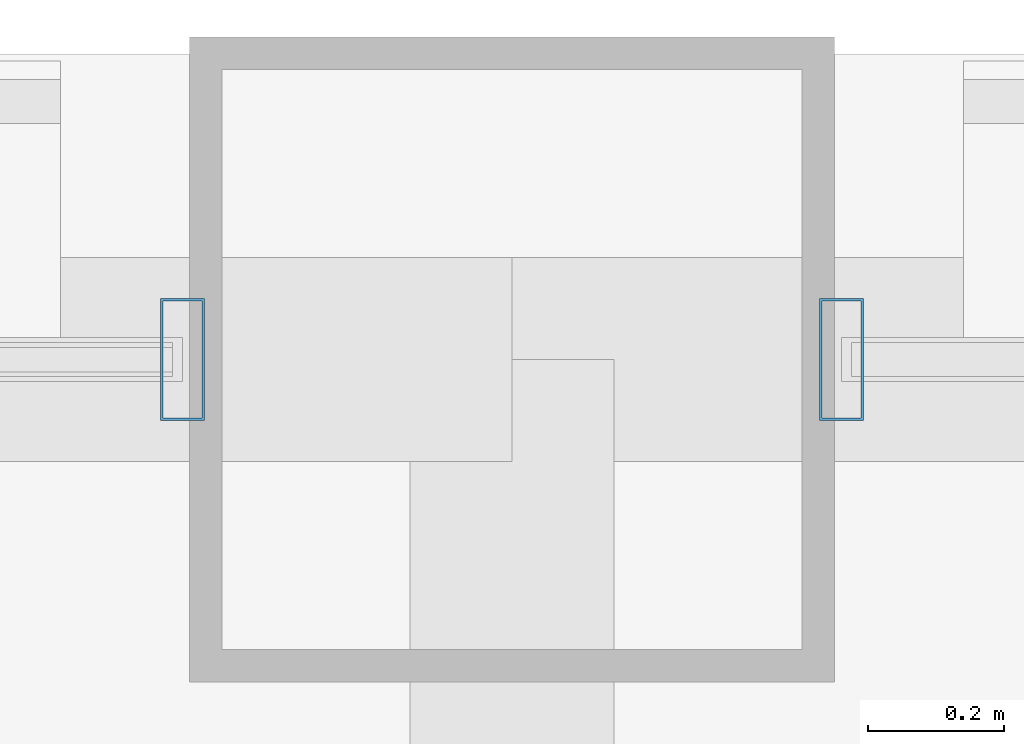
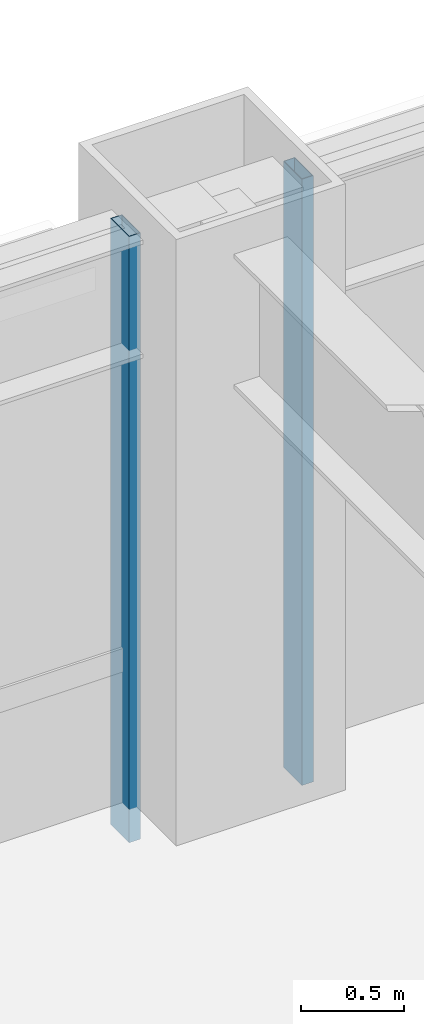
# One storey, part 19 of 28: 2 members, 2 elements without a shape of their own.
"""IFC4 building model written with IfcOpenShell, lengths in metres."""

from ifc_helpers import new_model, si_unit, direction, frame, origin, origin_2d, place, context, subcontext, project, spatial, hollow_rectangle, extrude, material, layer, layer_set, material_profile, profile_set, type_object, element, aggregate, save


model = new_model("IFC4")

# Units and contexts
model_context = context("Model", 3, precision=1e-05, world=origin(), true_north=direction((0.0, 1.0)))
body_context = subcontext(model_context, "Body", "Model", "MODEL_VIEW")
ifc_project = project(units=[si_unit("LENGTHUNIT", "METRE"), si_unit("AREAUNIT", "SQUARE_METRE"), si_unit("VOLUMEUNIT", "CUBIC_METRE"), si_unit("PLANEANGLEUNIT", "RADIAN"), si_unit("MASSUNIT", "GRAM", prefix="KILO")], contexts=[model_context])

# Site, building, storey
site_placement = place(None, origin())
site = spatial("IfcSite", under=ifc_project, at=site_placement, CompositionType="ELEMENT")
building_placement = place(site_placement, origin())
building = spatial("IfcBuilding", under=site, at=building_placement, Name="Brelmoor Portico Tower", CompositionType="ELEMENT")
storey_placement = place(building_placement, frame((0.0, 0.0, 49.199951171875)))
storey = spatial("IfcBuildingStorey", under=building, at=storey_placement, Name="L12", CompositionType="ELEMENT", Elevation=49.199951171875)

# Curtain wall, member
ifc_material = material(Name="Anodised Aluminium Alloy 6063-T6", Category="aluminium")
ifc_layer_1 = layer(ifc_material, 0.179931640625)
ifc_layer_set_1 = layer_set([ifc_layer_1], Name="Anodised Aluminium Alloy 6063-T6")
curtain_wall_type_1 = type_object("IfcCurtainWallType", Name="CW-TOWER-Z1", PredefinedType="NOTDEFINED", material=ifc_layer_set_1)
curtain_wall_1_placement = place(storey_placement, origin())
curtain_wall_1 = element("IfcCurtainWall", 1, at=curtain_wall_1_placement, inside=storey, type_object=curtain_wall_type_1, Name="L12 Curtain Wall CW-L12-02-2", PredefinedType="NOTDEFINED")
ifc_material_profile = material_profile(ifc_material, hollow_rectangle(XDim=0.06494140625, YDim=0.179931640625, WallThickness=0.00390625, at=origin_2d()), Name="ALU MULLION 65x180")
ifc_profile_set = profile_set([ifc_material_profile], Name="Anodised Aluminium Alloy 6063-T6")
member_type = type_object("IfcMemberType", Name="MB-CW-MULL-180", PredefinedType="MULLION", material=ifc_profile_set)
member_1_placement = place(storey_placement, frame((-8.534912109375, 21.550048828125, -0.199951171875), z_axis=(0.0, 0.0, 1.0), x_axis=(1.0, 0.0, 0.0)))
member_1 = element("IfcMember", 2, at=member_1_placement, type_object=member_type, Name="CW-L12-02-2 Mullion 01", PredefinedType="MULLION", context=body_context, shape_type="SweptSolid", body=[
    extrude(hollow_rectangle(XDim=0.06494140625, YDim=0.179931640625, WallThickness=0.00390625, at=origin_2d()), origin(), (0.0, 0.0, 1.0), 3.60009765625),
])
aggregate(curtain_wall_1, [member_1])

ifc_layer_2 = layer(ifc_material, 0.179931640625)
ifc_layer_set_2 = layer_set([ifc_layer_2], Name="Anodised Aluminium Alloy 6063-T6")
curtain_wall_type_2 = type_object("IfcCurtainWallType", Name="CW-TOWER-Z1-XB", PredefinedType="NOTDEFINED", material=ifc_layer_set_2)
curtain_wall_2_placement = place(storey_placement, origin())
curtain_wall_2 = element("IfcCurtainWall", 3, at=curtain_wall_2_placement, inside=storey, type_object=curtain_wall_type_2, Name="L12 Curtain Wall CW-L12-02-3", PredefinedType="NOTDEFINED")
member_2_placement = place(storey_placement, frame((-7.56494140625, 21.550048828125, -0.199951171875), z_axis=(0.0, 0.0, 1.0), x_axis=(1.0, 0.0, 0.0)))
member_2 = element("IfcMember", 4, at=member_2_placement, type_object=member_type, Name="CW-L12-02-3 Mullion 00", PredefinedType="MULLION", context=body_context, shape_type="SweptSolid", body=[
    extrude(hollow_rectangle(XDim=0.06494140625, YDim=0.179931640625, WallThickness=0.00390625, at=origin_2d()), origin(), (0.0, 0.0, 1.0), 3.60009765625),
])
aggregate(curtain_wall_2, [member_2])

save(model, "model.ifc")
